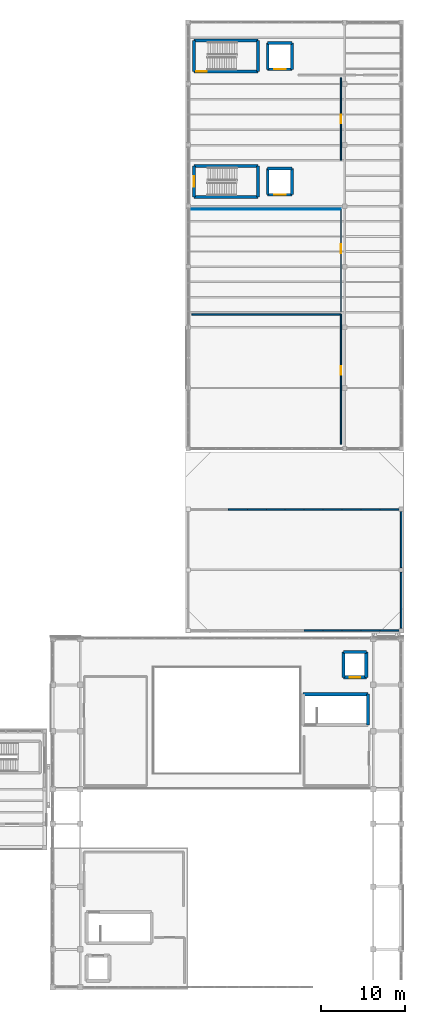
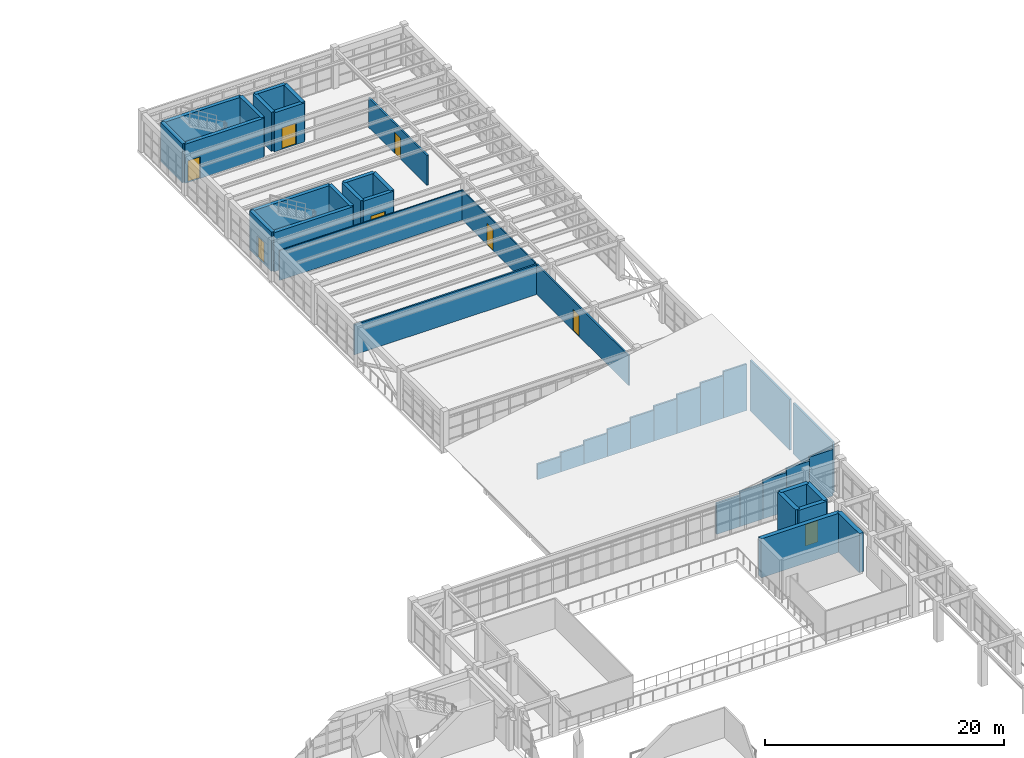
# One storey, part 56 of 66: 43 walls, 8 doors, 8 openings.
"""IFC4 building model written with IfcOpenShell, lengths in metres."""

import ifcopenshell
import ifcopenshell.guid

model = None  # the IFC model being written
_history = None  # IfcOwnerHistory: only IFC2X3 demands one
_inside = {}  # id of a spatial element -> (the spatial element, [elements in it])
_under = {}  # id of a project, library or spatial element -> (it, [spatial elements below it])
_declared = {}  # id of a project -> (the project, [libraries it declares])
_typed = {}  # id of a type object -> (the type object, [elements of that type])
_made_of = {}  # id of a material, layer set ... -> (it, [elements and type objects made of it])


def new_model(schema):
    """Start an empty IFC model of exactly this schema.

    Asked for "IFC4X3", IfcOpenShell would pick the latest addendum, in which some entities
    have other attributes; the version numbers below select the first issue.
    IFC2X3 requires an IfcOwnerHistory on every rooted entity: one is made here for all.
    """
    global model, _history
    if schema == "IFC4X3":
        model = ifcopenshell.file(schema_version=(4, 3, 0, 0))
    else:
        model = ifcopenshell.file(schema=schema)
    _inside.clear()
    _under.clear()
    _declared.clear()
    _typed.clear()
    _made_of.clear()
    _history = None
    if model.schema == "IFC2X3":
        org = make("IfcOrganization", Name="unknown")
        user = make(
            "IfcPersonAndOrganization",
            ThePerson=make("IfcPerson", FamilyName="unknown"),
            TheOrganization=org,
        )
        app = make(
            "IfcApplication",
            ApplicationDeveloper=org,
            Version="unknown",
            ApplicationFullName="unknown",
            ApplicationIdentifier="unknown",
        )
        _history = make(
            "IfcOwnerHistory",
            OwningUser=user,
            OwningApplication=app,
            ChangeAction="ADDED",
            CreationDate=0,
        )
    return model


def make(cls, **values):
    """One entity of the class cls with the attributes given. An attribute that is None is left unset."""
    return model.create_entity(
        cls, **{name: value for name, value in values.items() if value is not None}
    )


def rooted(cls, **values):
    """An entity with a GlobalId (a new one), such as an element, a storey or a relation."""
    return make(cls, GlobalId=ifcopenshell.guid.new(), OwnerHistory=_history, **values)


def si_unit(unit_type, name, prefix=None):
    """IfcSIUnit, for example si_unit("LENGTHUNIT", "METRE", prefix="MILLI")."""
    return make("IfcSIUnit", UnitType=unit_type, Prefix=prefix, Name=name)


def assignment(units):
    """IfcUnitAssignment: the units of a project."""
    return None if units is None else make("IfcUnitAssignment", Units=units)


def point(xyz):
    """IfcCartesianPoint."""
    return None if xyz is None else make("IfcCartesianPoint", Coordinates=xyz)


def direction(xyz):
    """IfcDirection."""
    return None if xyz is None else make("IfcDirection", DirectionRatios=xyz)


def frame(location, z_axis=None, x_axis=None):
    """IfcAxis2Placement3D, a coordinate frame: its origin and axes. An axis left out is left unset."""
    return make(
        "IfcAxis2Placement3D",
        Location=point(location),
        Axis=direction(z_axis),
        RefDirection=direction(x_axis),
    )


def frame_2d(location, x_axis=None):
    """IfcAxis2Placement2D, a coordinate frame in the plane: its origin and x axis."""
    return make(
        "IfcAxis2Placement2D", Location=point(location), RefDirection=direction(x_axis)
    )


def origin():
    """The frame at (0, 0, 0) with its axes left unset."""
    return frame((0.0, 0.0, 0.0))


def place(relative_to, where):
    """IfcLocalPlacement: puts the frame where relative to a parent placement (None: the world)."""
    return make(
        "IfcLocalPlacement", PlacementRelTo=relative_to, RelativePlacement=where
    )


def context(
    kind, dimensions, precision=None, world=None, true_north=None, identifier=None
):
    """IfcGeometricRepresentationContext, for example the 3D "Model" context."""
    return make(
        "IfcGeometricRepresentationContext",
        ContextIdentifier=identifier,
        ContextType=kind,
        CoordinateSpaceDimension=dimensions,
        Precision=precision,
        WorldCoordinateSystem=world,
        TrueNorth=true_north,
    )


def subcontext(parent, identifier, kind, view, scale=None):
    """IfcGeometricRepresentationSubContext, for example "Body" below "Model"."""
    return make(
        "IfcGeometricRepresentationSubContext",
        ContextIdentifier=identifier,
        ContextType=kind,
        ParentContext=parent,
        TargetScale=scale,
        TargetView=view,
    )


def project(units=None, contexts=None):
    """IfcProject with its units and contexts."""
    return rooted(
        "IfcProject",
        Name="project",
        RepresentationContexts=contexts,
        UnitsInContext=assignment(units),
    )


def spatial(cls, under=None, at=None, **own):
    """A site, building, storey or space (cls), placed at a placement, below another one or the project."""
    s = rooted(cls, ObjectPlacement=at, **own)
    if under is not None:
        _under.setdefault(under.id(), (under, []))[1].append(s)
    return s


def profile(cls, at=None, kind="AREA", **sizes):
    """A parametric profile (cls). Its sizes go by their IFC names, for example OverallWidth=200.0."""
    return make(cls, ProfileType=kind, Position=at, **sizes)


def rectangle(**sizes):
    """IfcRectangleProfileDef."""
    return profile("IfcRectangleProfileDef", **sizes)


def extrude(swept, where, along, depth):
    """IfcExtrudedAreaSolid: the profile swept, set in the frame where, extruded along a direction by depth."""
    return make(
        "IfcExtrudedAreaSolid",
        SweptArea=swept,
        Position=where,
        ExtrudedDirection=direction(along),
        Depth=depth,
    )


def shape(context_of_items, identifier, shape_type, items):
    """IfcShapeRepresentation: the items that make up one representation, for example the "Body"."""
    return make(
        "IfcShapeRepresentation",
        ContextOfItems=context_of_items,
        RepresentationIdentifier=identifier,
        RepresentationType=shape_type,
        Items=items,
    )


def material(Name=None, Category=None):
    """IfcMaterial."""
    return make("IfcMaterial", Name=Name, Category=Category)


def layer(
    of_material, thickness, ventilated=None, Name=None, Category=None, Priority=None
):
    """IfcMaterialLayer: one layer of a wall or slab, of a material (None: an air gap)."""
    return make(
        "IfcMaterialLayer",
        Material=of_material,
        LayerThickness=thickness,
        IsVentilated=ventilated,
        Name=Name,
        Category=Category,
        Priority=Priority,
    )


def layer_set(layers, Name=None):
    """IfcMaterialLayerSet."""
    return make("IfcMaterialLayerSet", MaterialLayers=layers, LayerSetName=Name)


def made_of(thing, what):
    """Note that an element or type object is made of a material, layer set ...; save() writes the relation."""
    if what is not None:
        _made_of.setdefault(what.id(), (what, []))[1].append(thing)
    return thing


def type_object(cls, material=None, **own):
    """A type object (cls), such as IfcWallType, which elements share."""
    return made_of(rooted(cls, **own), material)


def element(
    cls,
    number,
    at=None,
    inside=None,
    cuts=None,
    type_object=None,
    material=None,
    context=None,
    identifier="Body",
    shape_type=None,
    held_by="IfcProductDefinitionShape",
    body=None,
    shapes=None,
    **own,
):
    """One element of the class cls, such as IfcWall. Its Tag is "e" and its number.

    at: its placement. inside: the storey or other place that contains it. cuts: it is an
    opening in that element (IfcRelVoidsElement). A single representation is given by context,
    identifier, shape_type and body (its items); several are given by shapes. held_by: the class
    of the entity that holds the representations. save() writes the other relations.
    """
    e = rooted(cls, Tag="e%d" % number, ObjectPlacement=at, **own)
    if body is not None:
        shapes = [shape(context, identifier, shape_type, body)]
    if shapes is not None:
        e.Representation = make(held_by, Representations=shapes)
    if inside is not None:
        _inside.setdefault(inside.id(), (inside, []))[1].append(e)
    if cuts is not None:
        rooted(
            "IfcRelVoidsElement", RelatingBuildingElement=cuts, RelatedOpeningElement=e
        )
    if type_object is not None:
        _typed.setdefault(type_object.id(), (type_object, []))[1].append(e)
    return made_of(e, material)


def fill(opening, filler):
    """IfcRelFillsElement: the door or window that sits in an opening."""
    return rooted(
        "IfcRelFillsElement",
        RelatingOpeningElement=opening,
        RelatedBuildingElement=filler,
    )


def aggregate(whole, parts):
    """IfcRelAggregates: a whole, such as a stair, and the parts it consists of."""
    return rooted("IfcRelAggregates", RelatingObject=whole, RelatedObjects=parts)


def save(model, path):
    """Write the relations noted so far, then the file.

    IfcRelAggregates (storeys below a building ...), IfcRelContainedInSpatialStructure (elements
    in a storey), IfcRelDefinesByType, IfcRelAssociatesMaterial and IfcRelDeclares: one each for
    every whole, place, type object, material and project.
    """
    for whole, parts in _under.values():
        aggregate(whole, parts)
    for where, things in _inside.values():
        rooted(
            "IfcRelContainedInSpatialStructure",
            RelatedElements=things,
            RelatingStructure=where,
        )
    for kind, things in _typed.values():
        rooted("IfcRelDefinesByType", RelatedObjects=things, RelatingType=kind)
    for what, things in _made_of.values():
        rooted("IfcRelAssociatesMaterial", RelatedObjects=things, RelatingMaterial=what)
    for by, libraries in _declared.values():
        rooted("IfcRelDeclares", RelatingContext=by, RelatedDefinitions=libraries)
    model.write(path)


model = new_model("IFC4")

# Units and contexts
model_context = context("Model", 3, precision=1e-05, world=origin(), true_north=direction((0.0, 1.0)))
body_context = subcontext(model_context, "Body", "Model", "MODEL_VIEW")
ifc_project = project(units=[si_unit("LENGTHUNIT", "METRE"), si_unit("AREAUNIT", "SQUARE_METRE"), si_unit("VOLUMEUNIT", "CUBIC_METRE"), si_unit("PLANEANGLEUNIT", "RADIAN"), si_unit("MASSUNIT", "GRAM", prefix="KILO")], contexts=[model_context])

# Site, building, storey
site_placement = place(None, origin())
site = spatial("IfcSite", under=ifc_project, at=site_placement, CompositionType="ELEMENT")
building_placement = place(site_placement, origin())
building = spatial("IfcBuilding", under=site, at=building_placement, Name="Candilejo Ridge Gondola Terminal", CompositionType="ELEMENT")
storey_placement = place(building_placement, frame((0.0, 0.0, 14.39990234375)))
storey = spatial("IfcBuildingStorey", under=building, at=storey_placement, Name="L03", CompositionType="ELEMENT", Elevation=14.39990234375)

# Walls
ifc_material_1 = material(Name="Concrete f'c 35 MPa (C35/45)", Category="concrete")
ifc_layer_1 = layer(ifc_material_1, 0.179931640625)
ifc_layer_set_1 = layer_set([ifc_layer_1], Name="ARC-PARAPET-WALL-180")
wall_type_1 = type_object("IfcWallType", Name="ARC-PARAPET-WALL-180", PredefinedType="PARAPET", material=ifc_layer_set_1)
for number, where, z_axis, x_axis, name in (
    (1, (175.300048828125, 48.929931640625, -0.239990234375), (0.0, 0.0, 1.0), (0.0, 1.0, 0.0), "Roof perimeter gable/spandrel wall L03-101"),
    (2, (175.300048828125, 56.1298828125, -0.239990234375), (0.0, 0.0, 1.0), (0.0, 1.0, 0.0), "Roof perimeter gable/spandrel wall L03-102"),
):
    element("IfcWall", number, at=place(storey_placement, frame(where, z_axis=z_axis, x_axis=x_axis)), inside=storey, type_object=wall_type_1, Name=name, PredefinedType="PARAPET", context=body_context, shape_type="SweptSolid", body=[
        extrude(rectangle(XDim=6.64013671875, YDim=0.179931640625, at=frame_2d((3.320068359375, 0.0))), origin(), (0.0, 0.0, 1.0), 5.201171875),
    ])
wall_1_placement = place(storey_placement, frame((163.7744140625, 48.64990234375, -0.239990234375), z_axis=(0.0, 0.0, 1.0), x_axis=(1.0, 0.0, 0.0)))
element("IfcWall", 3, at=wall_1_placement, inside=storey, type_object=wall_type_1, Name="Roof perimeter gable/spandrel wall L03-109", PredefinedType="PARAPET", context=body_context, shape_type="SweptSolid", body=[
    extrude(rectangle(XDim=2.249267578125, YDim=0.179931640625, at=frame_2d((1.12451171875, 0.0))), origin(), (0.0, 0.0, 1.0), 3.1689453125),
])
wall_2_placement = place(storey_placement, frame((166.023681640625, 48.64990234375, -0.239990234375), z_axis=(0.0, 0.0, 1.0), x_axis=(1.0, 0.0, 0.0)))
element("IfcWall", 4, at=wall_2_placement, inside=storey, type_object=wall_type_1, Name="Roof perimeter gable/spandrel wall L03-110", PredefinedType="PARAPET", context=body_context, shape_type="SweptSolid", body=[
    extrude(rectangle(XDim=2.2490234375, YDim=0.179931640625, at=frame_2d((1.12451171875, 0.0))), origin(), (0.0, 0.0, 1.0), 3.565673828125),
])
wall_3_placement = place(storey_placement, frame((168.272705078125, 48.64990234375, -0.239990234375), z_axis=(0.0, 0.0, 1.0), x_axis=(1.0, 0.0, 0.0)))
element("IfcWall", 5, at=wall_3_placement, inside=storey, type_object=wall_type_1, Name="Roof perimeter gable/spandrel wall L03-111", PredefinedType="PARAPET", context=body_context, shape_type="SweptSolid", body=[
    extrude(rectangle(XDim=2.2490234375, YDim=0.179931640625, at=frame_2d((1.12451171875, 0.0))), origin(), (0.0, 0.0, 1.0), 3.962158203125),
])
wall_4_placement = place(storey_placement, frame((170.521728515625, 48.64990234375, -0.239990234375), z_axis=(0.0, 0.0, 1.0), x_axis=(1.0, 0.0, 0.0)))
element("IfcWall", 6, at=wall_4_placement, inside=storey, type_object=wall_type_1, Name="Roof perimeter gable/spandrel wall L03-112", PredefinedType="PARAPET", context=body_context, shape_type="SweptSolid", body=[
    extrude(rectangle(XDim=2.249267578125, YDim=0.179931640625, at=frame_2d((1.12451171875, 0.0))), origin(), (0.0, 0.0, 1.0), 4.35888671875),
])
wall_5_placement = place(storey_placement, frame((172.77099609375, 48.64990234375, -0.239990234375), z_axis=(0.0, 0.0, 1.0), x_axis=(1.0, 0.0, 0.0)))
element("IfcWall", 7, at=wall_5_placement, inside=storey, type_object=wall_type_1, Name="Roof perimeter gable/spandrel wall L03-113", PredefinedType="PARAPET", context=body_context, shape_type="SweptSolid", body=[
    extrude(rectangle(XDim=2.2490234375, YDim=0.179931640625, at=frame_2d((1.12451171875, 0.0))), origin(), (0.0, 0.0, 1.0), 4.75537109375),
])
wall_6_placement = place(storey_placement, frame((154.7783203125, 63.050048828125, -0.239990234375), z_axis=(0.0, 0.0, 1.0), x_axis=(1.0, 0.0, 0.0)))
element("IfcWall", 8, at=wall_6_placement, inside=storey, type_object=wall_type_1, Name="Roof perimeter gable/spandrel wall L03-116", PredefinedType="PARAPET", context=body_context, shape_type="SweptSolid", body=[
    extrude(rectangle(XDim=2.2490234375, YDim=0.179931640625, at=frame_2d((1.12451171875, 0.0))), origin(), (0.0, 0.0, 1.0), 1.582763671875),
])
wall_7_placement = place(storey_placement, frame((157.02734375, 63.050048828125, -0.239990234375), z_axis=(0.0, 0.0, 1.0), x_axis=(1.0, 0.0, 0.0)))
element("IfcWall", 9, at=wall_7_placement, inside=storey, type_object=wall_type_1, Name="Roof perimeter gable/spandrel wall L03-117", PredefinedType="PARAPET", context=body_context, shape_type="SweptSolid", body=[
    extrude(rectangle(XDim=2.2490234375, YDim=0.179931640625, at=frame_2d((1.12451171875, 0.0))), origin(), (0.0, 0.0, 1.0), 1.979248046875),
])
wall_8_placement = place(storey_placement, frame((159.2763671875, 63.050048828125, -0.239990234375), z_axis=(0.0, 0.0, 1.0), x_axis=(1.0, 0.0, 0.0)))
element("IfcWall", 10, at=wall_8_placement, inside=storey, type_object=wall_type_1, Name="Roof perimeter gable/spandrel wall L03-118", PredefinedType="PARAPET", context=body_context, shape_type="SweptSolid", body=[
    extrude(rectangle(XDim=2.2490234375, YDim=0.179931640625, at=frame_2d((1.12451171875, 0.0))), origin(), (0.0, 0.0, 1.0), 2.3759765625),
])
wall_9_placement = place(storey_placement, frame((161.525390625, 63.050048828125, -0.239990234375), z_axis=(0.0, 0.0, 1.0), x_axis=(1.0, 0.0, 0.0)))
element("IfcWall", 11, at=wall_9_placement, inside=storey, type_object=wall_type_1, Name="Roof perimeter gable/spandrel wall L03-119", PredefinedType="PARAPET", context=body_context, shape_type="SweptSolid", body=[
    extrude(rectangle(XDim=2.2490234375, YDim=0.179931640625, at=frame_2d((1.12451171875, 0.0))), origin(), (0.0, 0.0, 1.0), 2.7724609375),
])
wall_10_placement = place(storey_placement, frame((163.7744140625, 63.050048828125, -0.239990234375), z_axis=(0.0, 0.0, 1.0), x_axis=(1.0, 0.0, 0.0)))
element("IfcWall", 12, at=wall_10_placement, inside=storey, type_object=wall_type_1, Name="Roof perimeter gable/spandrel wall L03-120", PredefinedType="PARAPET", context=body_context, shape_type="SweptSolid", body=[
    extrude(rectangle(XDim=2.249267578125, YDim=0.179931640625, at=frame_2d((1.12451171875, 0.0))), origin(), (0.0, 0.0, 1.0), 3.1689453125),
])
wall_11_placement = place(storey_placement, frame((166.023681640625, 63.050048828125, -0.239990234375), z_axis=(0.0, 0.0, 1.0), x_axis=(1.0, 0.0, 0.0)))
element("IfcWall", 13, at=wall_11_placement, inside=storey, type_object=wall_type_1, Name="Roof perimeter gable/spandrel wall L03-121", PredefinedType="PARAPET", context=body_context, shape_type="SweptSolid", body=[
    extrude(rectangle(XDim=2.2490234375, YDim=0.179931640625, at=frame_2d((1.12451171875, 0.0))), origin(), (0.0, 0.0, 1.0), 3.565673828125),
])
wall_12_placement = place(storey_placement, frame((168.272705078125, 63.050048828125, -0.239990234375), z_axis=(0.0, 0.0, 1.0), x_axis=(1.0, 0.0, 0.0)))
element("IfcWall", 14, at=wall_12_placement, inside=storey, type_object=wall_type_1, Name="Roof perimeter gable/spandrel wall L03-122", PredefinedType="PARAPET", context=body_context, shape_type="SweptSolid", body=[
    extrude(rectangle(XDim=2.2490234375, YDim=0.179931640625, at=frame_2d((1.12451171875, 0.0))), origin(), (0.0, 0.0, 1.0), 3.962158203125),
])
wall_13_placement = place(storey_placement, frame((170.521728515625, 63.050048828125, -0.239990234375), z_axis=(0.0, 0.0, 1.0), x_axis=(1.0, 0.0, 0.0)))
element("IfcWall", 15, at=wall_13_placement, inside=storey, type_object=wall_type_1, Name="Roof perimeter gable/spandrel wall L03-123", PredefinedType="PARAPET", context=body_context, shape_type="SweptSolid", body=[
    extrude(rectangle(XDim=2.249267578125, YDim=0.179931640625, at=frame_2d((1.12451171875, 0.0))), origin(), (0.0, 0.0, 1.0), 4.35888671875),
])
wall_14_placement = place(storey_placement, frame((172.77099609375, 63.050048828125, -0.239990234375), z_axis=(0.0, 0.0, 1.0), x_axis=(1.0, 0.0, 0.0)))
element("IfcWall", 16, at=wall_14_placement, inside=storey, type_object=wall_type_1, Name="Roof perimeter gable/spandrel wall L03-124", PredefinedType="PARAPET", context=body_context, shape_type="SweptSolid", body=[
    extrude(rectangle(XDim=2.2490234375, YDim=0.179931640625, at=frame_2d((1.12451171875, 0.0))), origin(), (0.0, 0.0, 1.0), 4.75537109375),
])

# Wall, opening, door
ifc_material_2 = material(Name="Gypsum board Type X acoustic partition (2x15.9 mm)", Category="gypsum")
ifc_layer_2 = layer(ifc_material_2, 0.159912109375)
ifc_layer_set_2 = layer_set([ifc_layer_2], Name="ARC-PART-GYP160-EI90")
wall_type_2 = type_object("IfcWallType", Name="ARC-PART-GYP160-EI90", PredefinedType="PARTITIONING", material=ifc_layer_set_2)
wall_15_placement = place(storey_placement, frame((168.14990234375, 70.75, 0.0), z_axis=(0.0, 0.0, 1.0), x_axis=(0.0, 1.0, 0.0)))
wall_15 = element("IfcWall", 17, at=wall_15_placement, inside=storey, type_object=wall_type_2, Name="Interior partition PT-V5-L03-0123", PredefinedType="PARTITIONING", context=body_context, shape_type="SweptSolid", body=[
    extrude(rectangle(XDim=15.449951171875, YDim=0.159912109375, at=frame_2d((7.72509765625, 0.0))), origin(), (0.0, 0.0, 1.0), 3.050048828125),
])
opening_1_placement = place(wall_15_placement, frame((8.25, 0.0, 0.0)))
opening_1 = element("IfcOpeningElement", 18, at=opening_1_placement, cuts=wall_15, Name="Opening ID-01A", PredefinedType="OPENING", context=body_context, shape_type="SweptSolid", body=[
    extrude(rectangle(XDim=1.050048828125, YDim=2.199951171875, at=frame_2d((0.52490234375, 1.10009765625))), frame((0.0, 0.08984375, 0.0), z_axis=(0.0, -1.0, 0.0), x_axis=(1.0, 0.0, 0.0)), (0.0, 0.0, 1.0), 0.179931640625),
])
ifc_material_3 = material(Name="Solid-core fire-rated hardwood door leaf", Category="wood")
door_type_1 = type_object("IfcDoorType", Name="ARC-DOOR-INT-1050", OperationType="NOTDEFINED", PredefinedType="DOOR", material=ifc_material_3)
door_1_placement = place(opening_1_placement, origin())
door_1 = element("IfcDoor", 19, at=door_1_placement, inside=storey, type_object=door_type_1, Name="Interior door IDR-0066 (315)", OperationType="SINGLE_SWING_RIGHT", OverallHeight=2.199951171875, OverallWidth=1.050048828125, PredefinedType="DOOR", context=body_context, shape_type="SweptSolid", body=[
    extrude(rectangle(XDim=1.050048828125, YDim=2.199951171875, at=frame_2d((0.52490234375, 1.10009765625))), frame((0.0, 0.02490234375, 0.0), z_axis=(0.0, -1.0, 0.0), x_axis=(1.0, 0.0, 0.0)), (0.0, 0.0, 1.0), 0.050048828125),
])
fill(opening_1, door_1)

# Wall
wall_16_placement = place(storey_placement, frame((150.449951171875, 86.199951171875, 0.0), z_axis=(0.0, 0.0, 1.0), x_axis=(1.0, 0.0, 0.0)))
element("IfcWall", 20, at=wall_16_placement, inside=storey, type_object=wall_type_2, Name="Interior partition PT-V5-L03-0124", PredefinedType="PARTITIONING", context=body_context, shape_type="SweptSolid", body=[
    extrude(rectangle(XDim=17.699951171875, YDim=0.159912109375, at=frame_2d((8.85009765625, 0.0))), origin(), (0.0, 0.0, 1.0), 3.050048828125),
])

# Wall, opening, door
ifc_material_4 = material(Name="Acoustic operable panel system", Category="wood")
ifc_layer_3 = layer(ifc_material_4, 0.110107421875)
ifc_layer_set_3 = layer_set([ifc_layer_3], Name="ARC-PART-MOVABLE-110")
wall_type_3 = type_object("IfcWallType", Name="ARC-PART-MOVABLE-110", PredefinedType="MOVABLE", material=ifc_layer_set_3)
wall_17_placement = place(storey_placement, frame((168.14990234375, 86.5, 0.0), z_axis=(0.0, 0.0, 1.0), x_axis=(0.0, 1.0, 0.0)))
wall_17 = element("IfcWall", 21, at=wall_17_placement, inside=storey, type_object=wall_type_3, Name="Interior partition PT-V5-L03-0125", PredefinedType="MOVABLE", context=body_context, shape_type="SweptSolid", body=[
    extrude(rectangle(XDim=12.199951171875, YDim=0.110107421875, at=frame_2d((6.10009765625, 0.0))), origin(), (0.0, 0.0, 1.0), 3.050048828125),
])
opening_2_placement = place(wall_17_placement, frame((6.97509765625, 0.0, 0.0)))
opening_2 = element("IfcOpeningElement", 22, at=opening_2_placement, cuts=wall_17, Name="Opening ID-01A", PredefinedType="OPENING", context=body_context, shape_type="SweptSolid", body=[
    extrude(rectangle(XDim=1.050048828125, YDim=2.199951171875, at=frame_2d((0.52490234375, 1.10009765625))), frame((0.0, 0.06494140625, 0.0), z_axis=(0.0, -1.0, 0.0), x_axis=(1.0, 0.0, 0.0)), (0.0, 0.0, 1.0), 0.130126953125),
])
door_2_placement = place(opening_2_placement, origin())
door_2 = element("IfcDoor", 23, at=door_2_placement, inside=storey, type_object=door_type_1, Name="Interior door IDR-0067 (316)", OperationType="SINGLE_SWING_LEFT", OverallHeight=2.199951171875, OverallWidth=1.050048828125, PredefinedType="DOOR", context=body_context, shape_type="SweptSolid", body=[
    extrude(rectangle(XDim=1.050048828125, YDim=2.199951171875, at=frame_2d((0.52490234375, 1.10009765625))), frame((0.0, 0.02490234375, 0.0), z_axis=(0.0, -1.0, 0.0), x_axis=(1.0, 0.0, 0.0)), (0.0, 0.0, 1.0), 0.050048828125),
])
fill(opening_2, door_2)

# Wall
wall_18_placement = place(storey_placement, frame((150.449951171875, 98.699951171875, 0.0), z_axis=(0.0, 0.0, 1.0), x_axis=(1.0, 0.0, 0.0)))
element("IfcWall", 24, at=wall_18_placement, inside=storey, type_object=wall_type_3, Name="Interior partition PT-V5-L03-0126", PredefinedType="MOVABLE", context=body_context, shape_type="SweptSolid", body=[
    extrude(rectangle(XDim=17.699951171875, YDim=0.110107421875, at=frame_2d((8.85009765625, 0.0))), origin(), (0.0, 0.0, 1.0), 3.050048828125),
])

# Wall, opening, door
ifc_material_5 = material(Name="Concrete C20/25 masonry blockwork (f'm 14 MPa)", Category="masonry")
ifc_layer_4 = layer(ifc_material_5, 0.169921875)
ifc_layer_set_4 = layer_set([ifc_layer_4], Name="ARC-WALL-CMU170-EI90")
wall_type_4 = type_object("IfcWallType", Name="ARC-WALL-CMU170-EI90", PredefinedType="SOLIDWALL", material=ifc_layer_set_4)
wall_19_placement = place(storey_placement, frame((168.14990234375, 104.5, 0.0), z_axis=(0.0, 0.0, 1.0), x_axis=(0.0, 1.0, 0.0)))
wall_19 = element("IfcWall", 25, at=wall_19_placement, inside=storey, type_object=wall_type_4, Name="Interior partition PT-V5-L03-0127", PredefinedType="SOLIDWALL", context=body_context, shape_type="SweptSolid", body=[
    extrude(rectangle(XDim=9.800048828125, YDim=0.169921875, at=frame_2d((4.89990234375, 0.0))), origin(), (0.0, 0.0, 1.0), 3.050048828125),
])
opening_3_placement = place(wall_19_placement, frame((4.39990234375, 0.0, 0.0)))
opening_3 = element("IfcOpeningElement", 26, at=opening_3_placement, cuts=wall_19, Name="Opening FD-02", PredefinedType="OPENING", context=body_context, shape_type="SweptSolid", body=[
    extrude(rectangle(XDim=1.0, YDim=2.14990234375, at=frame_2d((0.5, 1.074951171875))), frame((0.0, 0.094970703125, 0.0), z_axis=(0.0, -1.0, 0.0), x_axis=(1.0, 0.0, 0.0)), (0.0, 0.0, 1.0), 0.18994140625),
])
ifc_material_6 = material(Name="Steel ASTM A653 Grade 33 hollow-metal door", Category="steel")
door_type_2 = type_object("IfcDoorType", Name="ARC-DOOR-FD60-1000", OperationType="NOTDEFINED", PredefinedType="DOOR", material=ifc_material_6)
door_3_placement = place(opening_3_placement, origin())
door_3 = element("IfcDoor", 27, at=door_3_placement, inside=storey, type_object=door_type_2, Name="Interior door IDR-0068 (318)", OperationType="SINGLE_SWING_RIGHT", OverallHeight=2.14990234375, OverallWidth=1.0, PredefinedType="DOOR", context=body_context, shape_type="SweptSolid", body=[
    extrude(rectangle(XDim=1.0, YDim=2.14990234375, at=frame_2d((0.5, 1.074951171875))), frame((0.0, 0.02490234375, 0.0), z_axis=(0.0, -1.0, 0.0), x_axis=(1.0, 0.0, 0.0)), (0.0, 0.0, 1.0), 0.050048828125),
])
fill(opening_3, door_3)

# Walls
ifc_material_7 = material(Name="Concrete f'c 35 MPa (C35/45)", Category="concrete")
ifc_layer_5 = layer(ifc_material_7, 0.35009765625)
ifc_layer_set_5 = layer_set([ifc_layer_5], Name="STR-CORE-WALL-350")
wall_type_5 = type_object("IfcWallType", Name="STR-CORE-WALL-350", PredefinedType="SHEAR", material=ifc_layer_set_5)
for number, where, z_axis, x_axis, name in (
    (28, (150.699951171875, 100.14990234375, 0.0), (0.0, 0.0, 1.0), (1.0, 0.0, 0.0), "Core stair shear wall SW-C-V5A-L03-ST-S"),
    (29, (158.300048828125, 103.800048828125, 0.0), (0.0, 0.0, 1.0), (-1.0, 0.0, 0.0), "Core stair shear wall SW-C-V5A-L03-ST-N"),
):
    element("IfcWall", number, at=place(storey_placement, frame(where, z_axis=z_axis, x_axis=x_axis)), inside=storey, type_object=wall_type_5, Name=name, PredefinedType="SHEAR", context=body_context, shape_type="SweptSolid", body=[
        extrude(rectangle(XDim=7.60009765625, YDim=0.35009765625, at=frame_2d((3.800048828125, 0.0))), origin(), (0.0, 0.0, 1.0), 3.989990234375),
    ])

# Wall, opening, door
wall_20_placement = place(storey_placement, frame((150.699951171875, 103.800048828125, 0.0), z_axis=(0.0, 0.0, 1.0), x_axis=(0.0, -1.0, 0.0)))
wall_20 = element("IfcWall", 30, at=wall_20_placement, inside=storey, type_object=wall_type_5, Name="Core stair shear wall SW-C-V5A-L03-ST-W", PredefinedType="SHEAR", context=body_context, shape_type="SweptSolid", body=[
    extrude(rectangle(XDim=3.650146484375, YDim=0.35009765625, at=frame_2d((1.8251953125, 0.0))), origin(), (0.0, 0.0, 1.0), 3.989990234375),
])
opening_4_placement = place(wall_20_placement, frame((1.22509765625, 0.0, 0.0)))
opening_4 = element("IfcOpeningElement", 31, at=opening_4_placement, cuts=wall_20, Name="Opening FD-01", PredefinedType="OPENING", context=body_context, shape_type="SweptSolid", body=[
    extrude(rectangle(XDim=1.199951171875, YDim=2.199951171875, at=frame_2d((0.60009765625, 1.10009765625))), frame((0.0, 0.18505859375, 0.0), z_axis=(0.0, -1.0, 0.0), x_axis=(1.0, 0.0, 0.0)), (0.0, 0.0, 1.0), 0.3701171875),
])
ifc_material_8 = material(Name="Steel ASTM A653 Grade 33 hollow-metal door", Category="steel")
door_type_3 = type_object("IfcDoorType", Name="ARC-DOOR-FD90-1200", OperationType="NOTDEFINED", PredefinedType="DOOR", material=ifc_material_8)
door_4_placement = place(opening_4_placement, origin())
door_4 = element("IfcDoor", 32, at=door_4_placement, inside=storey, type_object=door_type_3, Name="Fire stair door SDR-035", OperationType="SINGLE_SWING_LEFT", OverallHeight=2.199951171875, OverallWidth=1.199951171875, PredefinedType="DOOR", context=body_context, shape_type="SweptSolid", body=[
    extrude(rectangle(XDim=1.199951171875, YDim=2.199951171875, at=frame_2d((0.60009765625, 1.10009765625))), frame((0.0, 0.02490234375, 0.0), z_axis=(0.0, -1.0, 0.0), x_axis=(1.0, 0.0, 0.0)), (0.0, 0.0, 1.0), 0.050048828125),
])
fill(opening_4, door_4)

# Wall
wall_21_placement = place(storey_placement, frame((158.300048828125, 100.14990234375, 0.0), z_axis=(0.0, 0.0, 1.0), x_axis=(0.0, 1.0, 0.0)))
element("IfcWall", 33, at=wall_21_placement, inside=storey, type_object=wall_type_5, Name="Core stair shear wall SW-C-V5A-L03-ST-E", PredefinedType="SHEAR", context=body_context, shape_type="SweptSolid", body=[
    extrude(rectangle(XDim=3.650146484375, YDim=0.35009765625, at=frame_2d((1.8251953125, 0.0))), origin(), (0.0, 0.0, 1.0), 3.989990234375),
])

# Wall, opening, door
wall_22_placement = place(storey_placement, frame((159.449951171875, 100.39990234375, 0.0), z_axis=(0.0, 0.0, 1.0), x_axis=(1.0, 0.0, 0.0)))
wall_22 = element("IfcWall", 34, at=wall_22_placement, inside=storey, type_object=wall_type_5, Name="Lift shaft shear wall SW-C-V5A-L03-LF-S", PredefinedType="SHEAR", context=body_context, shape_type="SweptSolid", body=[
    extrude(rectangle(XDim=2.900146484375, YDim=0.35009765625, at=frame_2d((1.4501953125, 0.0))), origin(), (0.0, 0.0, 1.0), 3.989990234375),
])
opening_5_placement = place(wall_22_placement, frame((0.75, 0.0, 0.0)))
opening_5 = element("IfcOpeningElement", 35, at=opening_5_placement, cuts=wall_22, Name="Opening LD-02", PredefinedType="OPENING", context=body_context, shape_type="SweptSolid", body=[
    extrude(rectangle(XDim=1.39990234375, YDim=2.199951171875, at=frame_2d((0.699951171875, 1.10009765625))), frame((0.0, 0.18505859375, 0.0), z_axis=(0.0, -1.0, 0.0), x_axis=(1.0, 0.0, 0.0)), (0.0, 0.0, 1.0), 0.3701171875),
])
ifc_material_9 = material(Name="Brushed stainless steel AISI 316", Category="steel")
door_type_4 = type_object("IfcDoorType", Name="ARC-LIFT-DOOR-1400", OperationType="NOTDEFINED", PredefinedType="DOOR", material=ifc_material_9)
door_5_placement = place(opening_5_placement, origin())
door_5 = element("IfcDoor", 36, at=door_5_placement, inside=storey, type_object=door_type_4, Name="Elevator landing door LDR-035", OperationType="SLIDING_TO_LEFT", OverallHeight=2.199951171875, OverallWidth=1.39990234375, PredefinedType="DOOR", context=body_context, shape_type="SweptSolid", body=[
    extrude(rectangle(XDim=1.39990234375, YDim=2.199951171875, at=frame_2d((0.699951171875, 1.10009765625))), frame((0.0, 0.02490234375, 0.0), z_axis=(0.0, -1.0, 0.0), x_axis=(1.0, 0.0, 0.0)), (0.0, 0.0, 1.0), 0.050048828125),
])
fill(opening_5, door_5)

# Walls
wall_23_placement = place(storey_placement, frame((159.449951171875, 103.5, 0.0), z_axis=(0.0, 0.0, 1.0), x_axis=(1.0, 0.0, 0.0)))
element("IfcWall", 37, at=wall_23_placement, inside=storey, type_object=wall_type_5, Name="Lift shaft shear wall SW-C-V5A-L03-LF-N", PredefinedType="SHEAR", context=body_context, shape_type="SweptSolid", body=[
    extrude(rectangle(XDim=2.900146484375, YDim=0.35009765625, at=frame_2d((1.4501953125, 0.0))), origin(), (0.0, 0.0, 1.0), 3.989990234375),
])
for number, where, z_axis, x_axis, name in (
    (38, (159.449951171875, 100.39990234375, 0.0), (0.0, 0.0, 1.0), (0.0, 1.0, 0.0), "Lift shaft shear wall SW-C-V5A-L03-LF-W"),
    (39, (162.35009765625, 100.39990234375, 0.0), (0.0, 0.0, 1.0), (0.0, 1.0, 0.0), "Lift shaft shear wall SW-C-V5A-L03-LF-E"),
):
    element("IfcWall", number, at=place(storey_placement, frame(where, z_axis=z_axis, x_axis=x_axis)), inside=storey, type_object=wall_type_5, Name=name, PredefinedType="SHEAR", context=body_context, shape_type="SweptSolid", body=[
        extrude(rectangle(XDim=3.10009765625, YDim=0.35009765625, at=frame_2d((1.550048828125, 0.0))), origin(), (0.0, 0.0, 1.0), 3.989990234375),
    ])

# Wall, opening, door
wall_24_placement = place(storey_placement, frame((150.699951171875, 115.050048828125, 0.0), z_axis=(0.0, 0.0, 1.0), x_axis=(1.0, 0.0, 0.0)))
wall_24 = element("IfcWall", 40, at=wall_24_placement, inside=storey, type_object=wall_type_5, Name="Core stair shear wall SW-C-V5B-L03-ST-S", PredefinedType="SHEAR", context=body_context, shape_type="SweptSolid", body=[
    extrude(rectangle(XDim=7.60009765625, YDim=0.35009765625, at=frame_2d((3.800048828125, 0.0))), origin(), (0.0, 0.0, 1.0), 3.989990234375),
])
opening_6_placement = place(wall_24_placement, frame((0.280029296875, 0.0, 0.0)))
opening_6 = element("IfcOpeningElement", 41, at=opening_6_placement, cuts=wall_24, Name="Opening FD-01", PredefinedType="OPENING", context=body_context, shape_type="SweptSolid", body=[
    extrude(rectangle(XDim=1.199951171875, YDim=2.199951171875, at=frame_2d((0.60009765625, 1.10009765625))), frame((0.0, 0.18505859375, 0.0), z_axis=(0.0, -1.0, 0.0), x_axis=(1.0, 0.0, 0.0)), (0.0, 0.0, 1.0), 0.3701171875),
])
door_6_placement = place(opening_6_placement, origin())
door_6 = element("IfcDoor", 42, at=door_6_placement, inside=storey, type_object=door_type_3, Name="Fire stair door SDR-040", OperationType="SINGLE_SWING_RIGHT", OverallHeight=2.199951171875, OverallWidth=1.199951171875, PredefinedType="DOOR", context=body_context, shape_type="SweptSolid", body=[
    extrude(rectangle(XDim=1.199951171875, YDim=2.199951171875, at=frame_2d((0.60009765625, 1.10009765625))), frame((0.0, 0.02490234375, 0.0), z_axis=(0.0, -1.0, 0.0), x_axis=(1.0, 0.0, 0.0)), (0.0, 0.0, 1.0), 0.050048828125),
])
fill(opening_6, door_6)

# Walls
wall_25_placement = place(storey_placement, frame((158.300048828125, 118.699951171875, 0.0), z_axis=(0.0, 0.0, 1.0), x_axis=(-1.0, 0.0, 0.0)))
element("IfcWall", 43, at=wall_25_placement, inside=storey, type_object=wall_type_5, Name="Core stair shear wall SW-C-V5B-L03-ST-N", PredefinedType="SHEAR", context=body_context, shape_type="SweptSolid", body=[
    extrude(rectangle(XDim=7.60009765625, YDim=0.35009765625, at=frame_2d((3.800048828125, 0.0))), origin(), (0.0, 0.0, 1.0), 3.989990234375),
])
for number, where, z_axis, x_axis, name in (
    (44, (150.699951171875, 118.699951171875, 0.0), (0.0, 0.0, 1.0), (0.0, -1.0, 0.0), "Core stair shear wall SW-C-V5B-L03-ST-W"),
    (45, (158.300048828125, 115.050048828125, 0.0), (0.0, 0.0, 1.0), (0.0, 1.0, 0.0), "Core stair shear wall SW-C-V5B-L03-ST-E"),
):
    element("IfcWall", number, at=place(storey_placement, frame(where, z_axis=z_axis, x_axis=x_axis)), inside=storey, type_object=wall_type_5, Name=name, PredefinedType="SHEAR", context=body_context, shape_type="SweptSolid", body=[
        extrude(rectangle(XDim=3.64990234375, YDim=0.35009765625, at=frame_2d((1.824951171875, 0.0))), origin(), (0.0, 0.0, 1.0), 3.989990234375),
    ])

# Wall, opening, door
wall_26_placement = place(storey_placement, frame((159.449951171875, 115.300048828125, 0.0), z_axis=(0.0, 0.0, 1.0), x_axis=(1.0, 0.0, 0.0)))
wall_26 = element("IfcWall", 46, at=wall_26_placement, inside=storey, type_object=wall_type_5, Name="Lift shaft shear wall SW-C-V5B-L03-LF-S", PredefinedType="SHEAR", context=body_context, shape_type="SweptSolid", body=[
    extrude(rectangle(XDim=2.900146484375, YDim=0.35009765625, at=frame_2d((1.4501953125, 0.0))), origin(), (0.0, 0.0, 1.0), 3.989990234375),
])
opening_7_placement = place(wall_26_placement, frame((0.75, 0.0, 0.0)))
opening_7 = element("IfcOpeningElement", 47, at=opening_7_placement, cuts=wall_26, Name="Opening LD-02", PredefinedType="OPENING", context=body_context, shape_type="SweptSolid", body=[
    extrude(rectangle(XDim=1.39990234375, YDim=2.199951171875, at=frame_2d((0.699951171875, 1.10009765625))), frame((0.0, 0.18505859375, 0.0), z_axis=(0.0, -1.0, 0.0), x_axis=(1.0, 0.0, 0.0)), (0.0, 0.0, 1.0), 0.3701171875),
])
door_7_placement = place(opening_7_placement, origin())
door_7 = element("IfcDoor", 48, at=door_7_placement, inside=storey, type_object=door_type_4, Name="Elevator landing door LDR-040", OperationType="SLIDING_TO_LEFT", OverallHeight=2.199951171875, OverallWidth=1.39990234375, PredefinedType="DOOR", context=body_context, shape_type="SweptSolid", body=[
    extrude(rectangle(XDim=1.39990234375, YDim=2.199951171875, at=frame_2d((0.699951171875, 1.10009765625))), frame((0.0, 0.02490234375, 0.0), z_axis=(0.0, -1.0, 0.0), x_axis=(1.0, 0.0, 0.0)), (0.0, 0.0, 1.0), 0.050048828125),
])
fill(opening_7, door_7)

# Walls
wall_27_placement = place(storey_placement, frame((159.449951171875, 118.39990234375, 0.0), z_axis=(0.0, 0.0, 1.0), x_axis=(1.0, 0.0, 0.0)))
element("IfcWall", 49, at=wall_27_placement, inside=storey, type_object=wall_type_5, Name="Lift shaft shear wall SW-C-V5B-L03-LF-N", PredefinedType="SHEAR", context=body_context, shape_type="SweptSolid", body=[
    extrude(rectangle(XDim=2.900146484375, YDim=0.35009765625, at=frame_2d((1.4501953125, 0.0))), origin(), (0.0, 0.0, 1.0), 3.989990234375),
])
for number, where, z_axis, x_axis, name in (
    (50, (159.449951171875, 115.300048828125, 0.0), (0.0, 0.0, 1.0), (0.0, 1.0, 0.0), "Lift shaft shear wall SW-C-V5B-L03-LF-W"),
    (51, (162.35009765625, 115.300048828125, 0.0), (0.0, 0.0, 1.0), (0.0, 1.0, 0.0), "Lift shaft shear wall SW-C-V5B-L03-LF-E"),
):
    element("IfcWall", number, at=place(storey_placement, frame(where, z_axis=z_axis, x_axis=x_axis)), inside=storey, type_object=wall_type_5, Name=name, PredefinedType="SHEAR", context=body_context, shape_type="SweptSolid", body=[
        extrude(rectangle(XDim=3.099853515625, YDim=0.35009765625, at=frame_2d((1.5498046875, 0.0))), origin(), (0.0, 0.0, 1.0), 3.989990234375),
    ])
ifc_material_10 = material(Name="Concrete f'c 35 MPa (C35/45)", Category="concrete")
ifc_layer_6 = layer(ifc_material_10, 0.39990234375)
ifc_layer_set_6 = layer_set([ifc_layer_6], Name="STR-CORE-WALL-400")
wall_type_6 = type_object("IfcWallType", Name="STR-CORE-WALL-400", PredefinedType="SHEAR", material=ifc_layer_set_6)
wall_28_placement = place(storey_placement, frame((171.35009765625, 41.10009765625, 0.0), z_axis=(0.0, 0.0, 1.0), x_axis=(-1.0, 0.0, 0.0)))
element("IfcWall", 52, at=wall_28_placement, inside=storey, type_object=wall_type_6, Name="Core stair shear wall SW-C-V4B-L03-ST-N", PredefinedType="SHEAR", context=body_context, shape_type="SweptSolid", body=[
    extrude(rectangle(XDim=7.7001953125, YDim=0.39990234375, at=frame_2d((3.85009765625, 0.0))), origin(), (0.0, 0.0, 1.0), 3.989990234375),
])
wall_29_placement = place(storey_placement, frame((171.35009765625, 37.449951171875, 0.0), z_axis=(0.0, 0.0, 1.0), x_axis=(0.0, 1.0, 0.0)))
element("IfcWall", 53, at=wall_29_placement, inside=storey, type_object=wall_type_6, Name="Core stair shear wall SW-C-V4B-L03-ST-E", PredefinedType="SHEAR", context=body_context, shape_type="SweptSolid", body=[
    extrude(rectangle(XDim=3.650146484375, YDim=0.39990234375, at=frame_2d((1.8251953125, 0.0))), origin(), (0.0, 0.0, 1.0), 3.989990234375),
])

# Wall, opening, door
wall_30_placement = place(storey_placement, frame((168.449951171875, 43.10009765625, 0.0), z_axis=(0.0, 0.0, 1.0), x_axis=(1.0, 0.0, 0.0)))
wall_30 = element("IfcWall", 54, at=wall_30_placement, inside=storey, type_object=wall_type_6, Name="Lift shaft shear wall SW-C-V4B-L03-LF-S", PredefinedType="SHEAR", context=body_context, shape_type="SweptSolid", body=[
    extrude(rectangle(XDim=2.699951171875, YDim=0.39990234375, at=frame_2d((1.35009765625, 0.0))), origin(), (0.0, 0.0, 1.0), 4.005126953125),
])
opening_8_placement = place(wall_30_placement, frame((0.72509765625, 0.0, 0.0)))
opening_8 = element("IfcOpeningElement", 55, at=opening_8_placement, cuts=wall_30, Name="Opening LD-01B", PredefinedType="OPENING", context=body_context, shape_type="SweptSolid", body=[
    extrude(rectangle(XDim=1.25, YDim=2.199951171875, at=frame_2d((0.625, 1.10009765625))), frame((0.0, 0.2099609375, 0.0), z_axis=(0.0, -1.0, 0.0), x_axis=(1.0, 0.0, 0.0)), (0.0, 0.0, 1.0), 0.419921875),
])
ifc_material_11 = material(Name="Brushed stainless steel AISI 316", Category="steel")
door_type_5 = type_object("IfcDoorType", Name="ARC-LIFT-DOOR-1250", OperationType="NOTDEFINED", PredefinedType="DOOR", material=ifc_material_11)
door_8_placement = place(opening_8_placement, origin())
door_8 = element("IfcDoor", 56, at=door_8_placement, inside=storey, type_object=door_type_5, Name="Elevator landing door LDR-032", OperationType="SLIDING_TO_LEFT", OverallHeight=2.199951171875, OverallWidth=1.25, PredefinedType="DOOR", context=body_context, shape_type="SweptSolid", body=[
    extrude(rectangle(XDim=1.25, YDim=2.199951171875, at=frame_2d((0.625, 1.10009765625))), frame((0.0, 0.02490234375, 0.0), z_axis=(0.0, -1.0, 0.0), x_axis=(1.0, 0.0, 0.0)), (0.0, 0.0, 1.0), 0.050048828125),
])
fill(opening_8, door_8)

# Walls
wall_31_placement = place(storey_placement, frame((168.449951171875, 46.10009765625, 0.0), z_axis=(0.0, 0.0, 1.0), x_axis=(1.0, 0.0, 0.0)))
element("IfcWall", 57, at=wall_31_placement, inside=storey, type_object=wall_type_6, Name="Lift shaft shear wall SW-C-V4B-L03-LF-N", PredefinedType="SHEAR", context=body_context, shape_type="SweptSolid", body=[
    extrude(rectangle(XDim=2.699951171875, YDim=0.39990234375, at=frame_2d((1.35009765625, 0.0))), origin(), (0.0, 0.0, 1.0), 4.005126953125),
])
for number, where, z_axis, x_axis, name in (
    (58, (168.449951171875, 43.10009765625, 0.0), (0.0, 0.0, 1.0), (0.0, 1.0, 0.0), "Lift shaft shear wall SW-C-V4B-L03-LF-W"),
    (59, (171.14990234375, 43.10009765625, 0.0), (0.0, 0.0, 1.0), (0.0, 1.0, 0.0), "Lift shaft shear wall SW-C-V4B-L03-LF-E"),
):
    element("IfcWall", number, at=place(storey_placement, frame(where, z_axis=z_axis, x_axis=x_axis)), inside=storey, type_object=wall_type_6, Name=name, PredefinedType="SHEAR", context=body_context, shape_type="SweptSolid", body=[
        extrude(rectangle(XDim=3.0, YDim=0.39990234375, at=frame_2d((1.5, 0.0))), origin(), (0.0, 0.0, 1.0), 4.005126953125),
    ])

save(model, "model.ifc")
